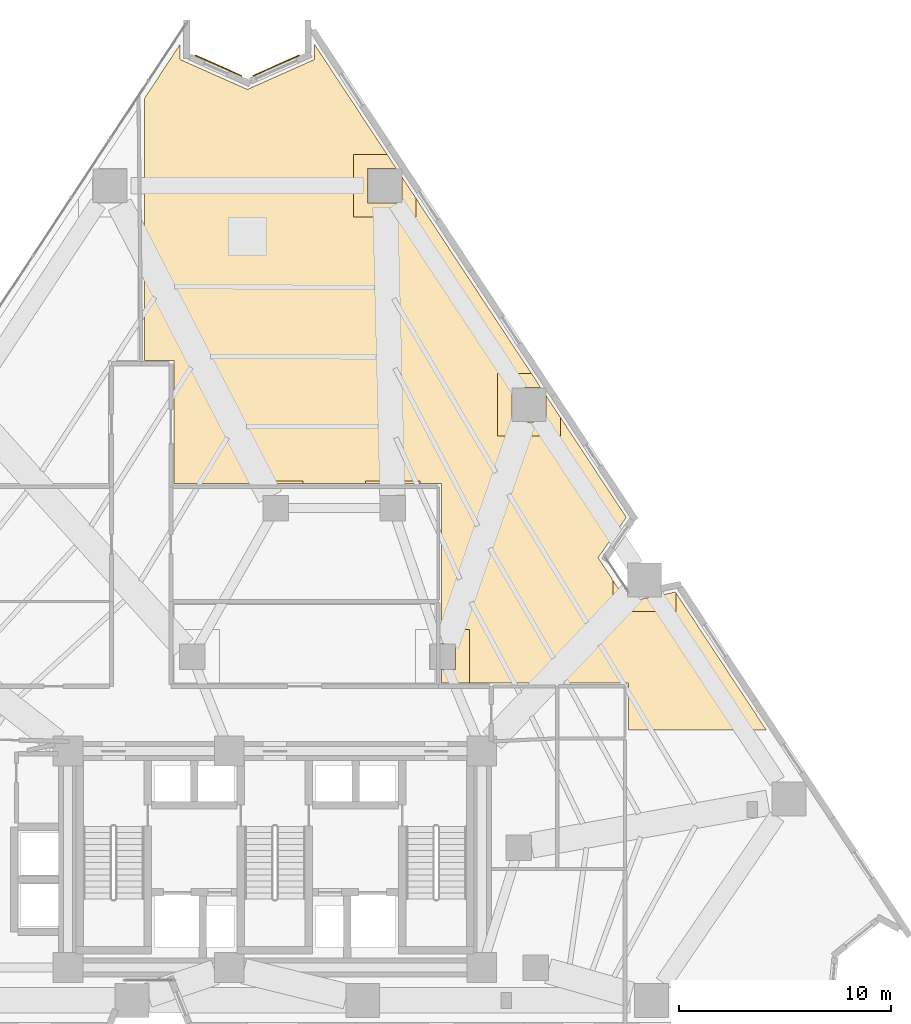
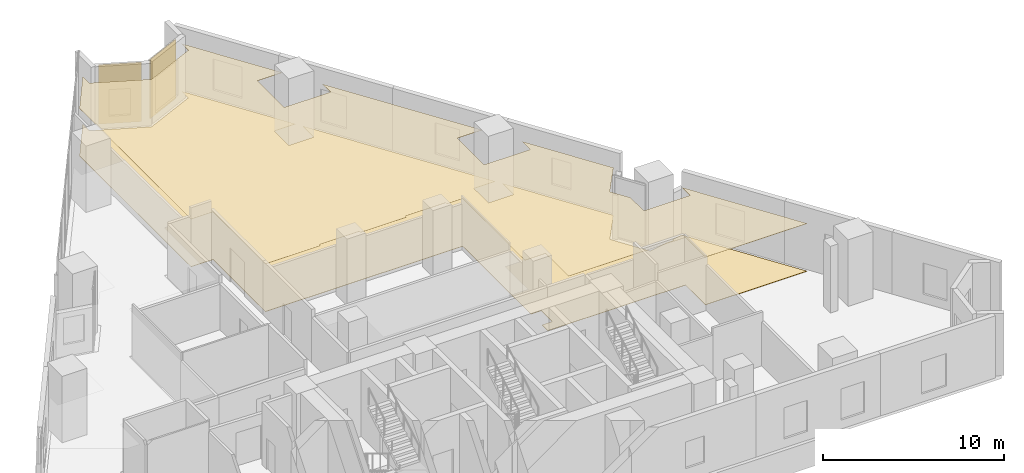
# One storey, part 15 of 15: 4 coverings.
"""IFC4 building model written with IfcOpenShell, lengths in metres."""

from ifc_helpers import new_model, si_unit, direction, frame, origin, origin_2d, place, context, subcontext, project, spatial, polyline, rectangle, outline, extrude, material, layer, layer_set, type_object, element, save


model = new_model("IFC4")

# Units and contexts
model_context = context("Model", 3, precision=1e-05, world=origin(), true_north=direction((0.0, 1.0)))
body_context = subcontext(model_context, "Body", "Model", "MODEL_VIEW")
ifc_project = project(units=[si_unit("LENGTHUNIT", "METRE"), si_unit("AREAUNIT", "SQUARE_METRE"), si_unit("VOLUMEUNIT", "CUBIC_METRE"), si_unit("PLANEANGLEUNIT", "RADIAN"), si_unit("MASSUNIT", "GRAM", prefix="KILO")], contexts=[model_context])

# Site, building, storey
site_placement = place(None, origin())
site = spatial("IfcSite", under=ifc_project, at=site_placement, CompositionType="ELEMENT")
building_placement = place(site_placement, origin())
building = spatial("IfcBuilding", under=site, at=building_placement, Name="Almagre Mirador Tower", CompositionType="ELEMENT")
storey_placement = place(building_placement, frame((0.0, 0.0, 8.39990234375)))
storey = spatial("IfcBuildingStorey", under=building, at=storey_placement, Name="L01", CompositionType="ELEMENT", Elevation=8.39990234375)

# Coverings
ifc_material_1 = material(Name="Perforated acoustic gypsum ceiling", Category="other")
ifc_layer_1 = layer(ifc_material_1, 0.01806640625)
ifc_layer_set_1 = layer_set([ifc_layer_1], Name="Perforated acoustic gypsum ceiling")
covering_type_1 = type_object("IfcCoveringType", Name="COV-CEIL-GYP-18", PredefinedType="CEILING", material=ifc_layer_set_1)
covering_1_placement = place(storey_placement, frame((0.0, 0.0, 3.22021484375)))
element("IfcCovering", 1, at=covering_1_placement, inside=storey, type_object=covering_type_1, Name="L01 Modernist Painting Gallery East acoustic suspended ceiling", PredefinedType="CEILING", context=body_context, shape_type="SweptSolid", body=[
    extrude(outline(polyline([(45.14990234375, 27.35009765625), (44.1298828125, 27.35009765625), (44.1298828125, 27.47998046875), (41.570068359375, 27.47998046875), (41.570068359375, 27.35009765625), (38.6298828125, 27.35009765625), (38.6298828125, 27.47998046875), (36.070068359375, 27.47998046875), (36.070068359375, 27.35009765625), (32.550048828125, 27.35009765625), (32.550048828125, 33.14990234375), (31.14990234375, 33.14990234375), (31.14990234375, 45.4951171875), (32.840087890625, 48.06005859375), (32.840087890625, 47.3330078125), (36.0, 45.926025390625), (39.159912109375, 47.3330078125), (39.159912109375, 48.06005859375), (42.5830078125, 42.867919921875), (40.998046875, 42.867919921875), (40.998046875, 39.907958984375), (43.9580078125, 39.907958984375), (43.9580078125, 40.781982421875), (49.385986328125, 32.548095703125), (47.798095703125, 32.548095703125), (47.798095703125, 29.587890625), (50.758056640625, 29.587890625), (50.758056640625, 30.466064453125), (53.85888671875, 25.762939453125), (52.529052734375, 23.863037109375), (53.238037109375, 22.781982421875), (53.238037109375, 21.33203125), (56.197998046875, 21.33203125), (56.197998046875, 22.200927734375), (60.450927734375, 15.75), (53.949951171875, 15.75), (53.949951171875, 17.949951171875), (46.47998046875, 17.949951171875), (46.47998046875, 20.47998046875), (45.14990234375, 20.47998046875), (45.14990234375, 27.35009765625)])), origin(), (0.0, 0.0, 1.0), 0.017822265625),
])
ifc_material_2 = material(Name="Almagre terracotta architectural cladding", Category="masonry")
ifc_layer_2 = layer(ifc_material_2, 0.044921875)
ifc_layer_set_2 = layer_set([ifc_layer_2], Name="Almagre terracotta architectural cladding")
covering_type_2 = type_object("IfcCoveringType", Name="COV-CLAD-ALMAGRE", PredefinedType="CLADDING", material=ifc_layer_set_2)
for number, where, z_axis, x_axis, name in (
    (2, (34.6396484375, 47.049560546875, 0.10009765625), (0.0, 0.0, 1.0), (0.913751208531, -0.406274204089, 0.0), "L01 almagre terracotta pier cladding"),
    (3, (37.3603515625, 47.049560546875, 0.10009765625), (0.0, 0.0, 1.0), (0.913751208531, 0.406274204089, 0.0), "L01 almagre terracotta pier cladding"),
):
    element("IfcCovering", number, at=place(storey_placement, frame(where, z_axis=z_axis, x_axis=x_axis)), inside=storey, type_object=covering_type_2, Name=name, PredefinedType="CLADDING", context=body_context, shape_type="SweptSolid", body=[
        extrude(rectangle(XDim=2.39990234375, YDim=0.044921875, at=origin_2d()), origin(), (0.0, 0.0, 1.0), 4.0),
    ])
ifc_material_3 = material(Name="Honed basalt terrazzo flooring", Category="masonry")
ifc_layer_3 = layer(ifc_material_3, 0.02197265625)
ifc_layer_set_3 = layer_set([ifc_layer_3], Name="Honed basalt terrazzo flooring")
covering_type_3 = type_object("IfcCoveringType", Name="COV-FLR-TER-22", PredefinedType="FLOORING", material=ifc_layer_set_3)
covering_2_placement = place(storey_placement, origin())
element("IfcCovering", 4, at=covering_2_placement, inside=storey, type_object=covering_type_3, Name="L01 Modernist Painting Gallery East finish flooring", PredefinedType="FLOORING", context=body_context, shape_type="SweptSolid", body=[
    extrude(outline(polyline([(45.14990234375, 17.949951171875), (45.14990234375, 18.594970703125), (45.804931640625, 18.594970703125), (45.804931640625, 19.804931640625), (45.14990234375, 19.804931640625), (45.14990234375, 27.35009765625), (32.550048828125, 27.35009765625), (32.550048828125, 33.14990234375), (31.14990234375, 33.14990234375), (31.14990234375, 45.4951171875), (32.840087890625, 48.06005859375), (32.840087890625, 47.3330078125), (36.0, 45.926025390625), (39.159912109375, 47.3330078125), (39.159912109375, 48.06005859375), (43.028076171875, 42.193115234375), (41.673095703125, 42.193115234375), (41.673095703125, 40.5830078125), (43.282958984375, 40.5830078125), (43.282958984375, 41.804931640625), (49.8310546875, 31.873046875), (48.472900390625, 31.873046875), (48.472900390625, 30.262939453125), (50.0830078125, 30.262939453125), (50.0830078125, 31.489990234375), (53.85888671875, 25.762939453125), (52.529052734375, 23.863037109375), (53.90087890625, 21.77197265625), (55.032958984375, 22.007080078125), (55.52294921875, 22.007080078125), (55.52294921875, 22.10791015625), (56.1708984375, 22.241943359375), (60.450927734375, 15.75), (53.949951171875, 15.75), (53.949951171875, 17.949951171875), (45.14990234375, 17.949951171875)])), origin(), (0.0, 0.0, 1.0), 0.022216796875),
])

save(model, "model.ifc")
